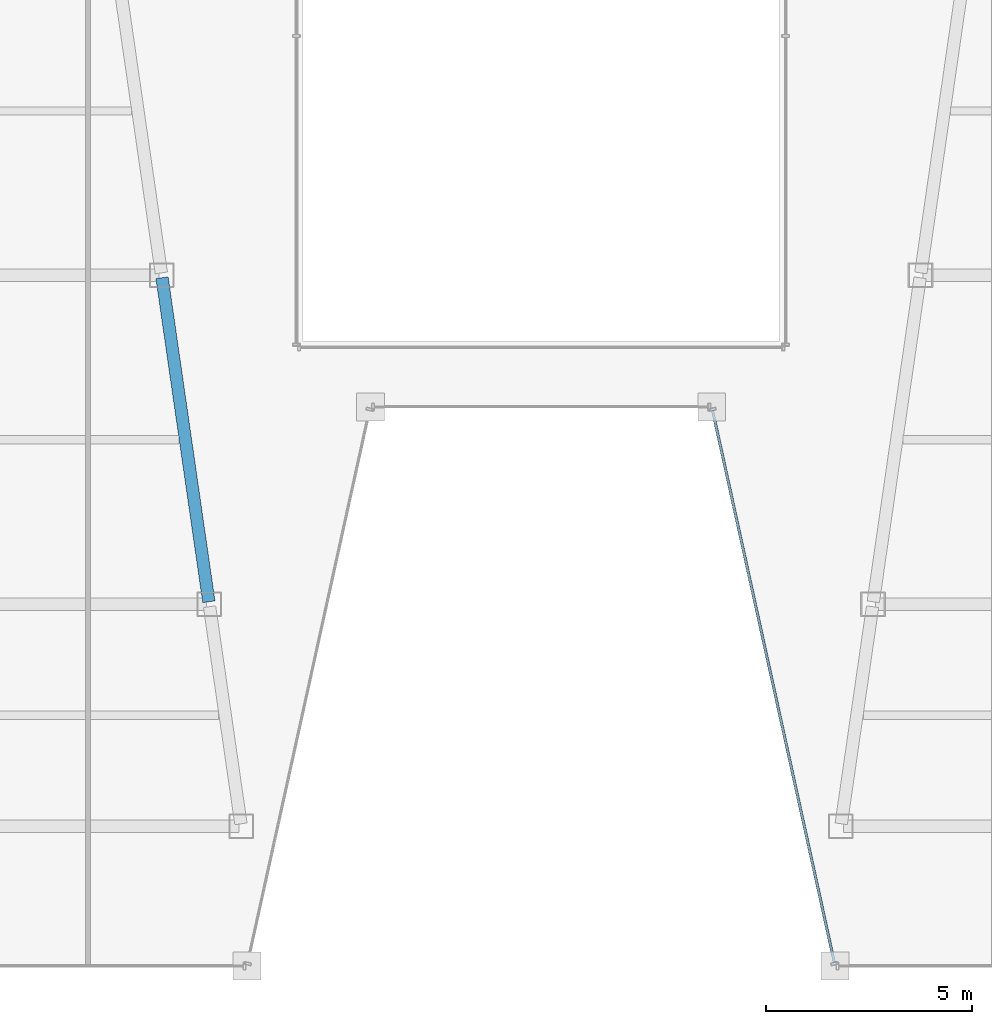
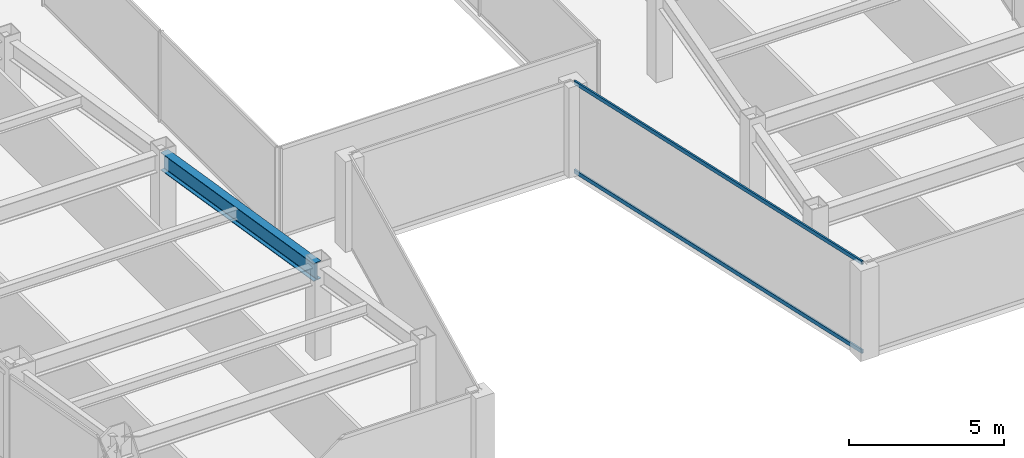
# One storey, part 6 of 38: 2 members, 1 beam, 1 element without a shape of its own.
"""IFC4 building model written with IfcOpenShell, lengths in metres."""

from ifc_helpers import new_model, si_unit, direction, frame, origin, origin_2d, place, context, subcontext, project, spatial, hollow_rectangle, i_section, extrude, material, material_profile, profile_set, type_object, element, aggregate, save


model = new_model("IFC4")

# Units and contexts
model_context = context("Model", 3, precision=1e-05, world=origin(), true_north=direction((0.0, 1.0)))
body_context = subcontext(model_context, "Body", "Model", "MODEL_VIEW")
ifc_project = project(units=[si_unit("LENGTHUNIT", "METRE"), si_unit("AREAUNIT", "SQUARE_METRE"), si_unit("VOLUMEUNIT", "CUBIC_METRE"), si_unit("PLANEANGLEUNIT", "RADIAN"), si_unit("MASSUNIT", "GRAM", prefix="KILO")], contexts=[model_context])

# Site, building, storey
site_placement = place(None, origin())
site = spatial("IfcSite", under=ifc_project, at=site_placement, CompositionType="ELEMENT")
building_placement = place(site_placement, origin())
building = spatial("IfcBuilding", under=site, at=building_placement, Name="Saevonmaru Cultural Tower", CompositionType="ELEMENT")
storey_placement = place(building_placement, frame((0.0, 0.0, 137.199951171875)))
storey = spatial("IfcBuildingStorey", under=building, at=storey_placement, Name="L29", CompositionType="ELEMENT", Elevation=137.199951171875)

# Beam
ifc_material_1 = material(Name="Steel SM355", Category="steel")
ifc_material_profile_1 = material_profile(ifc_material_1, i_section(OverallWidth=0.300048828125, OverallDepth=0.699951171875, WebThickness=0.012939453125, FlangeThickness=0.02392578125, FilletRadius=0.02587890625, at=origin_2d()), Name="H-700x300x13x24")
ifc_profile_set_1 = profile_set([ifc_material_profile_1], Name="Steel SM355")
beam_type = type_object("IfcBeamType", Name="BM-G-H700", PredefinedType="BEAM", material=ifc_profile_set_1)
beam_placement = place(storey_placement, frame((21.91943359375, 16.059326171875, 3.199951171875), z_axis=(-0.143022161059, 0.989719486241, 0.0), x_axis=(-0.989719486241, -0.143022161059, 0.0)))
element("IfcBeam", 1, at=beam_placement, inside=storey, type_object=beam_type, Name="L29 West Atrium Girder 2", PredefinedType="BEAM", context=body_context, shape_type="SweptSolid", body=[
    extrude(i_section(OverallWidth=0.300048828125, OverallDepth=0.699951171875, WebThickness=0.012939453125, FlangeThickness=0.02392578125, FilletRadius=0.02587890625, at=origin_2d()), origin(), (0.0, 0.0, 1.0), 7.963134765625),
])

# Curtain wall, members
ifc_material_2 = material(Name="Satin Bronze Anodised Aluminium", Category="aluminium")
curtain_wall_type = type_object("IfcCurtainWallType", Name="CW-TYP-A", PredefinedType="NOTDEFINED", material=ifc_material_2)
curtain_wall_placement = place(storey_placement, origin())
curtain_wall = element("IfcCurtainWall", 2, at=curtain_wall_placement, inside=storey, type_object=curtain_wall_type, Name="L29 Unitised Curtain Wall E5", PredefinedType="NOTDEFINED")
ifc_material_profile_2 = material_profile(ifc_material_2, hollow_rectangle(XDim=0.06494140625, YDim=0.14990234375, WallThickness=0.00390625, at=origin_2d()), Name="ALU-TRAN-150x65x4")
ifc_profile_set_2 = profile_set([ifc_material_profile_2], Name="Satin Bronze Anodised Aluminium")
member_type = type_object("IfcMemberType", Name="TR-CW-150x65", PredefinedType="USERDEFINED", material=ifc_profile_set_2)
member_1_placement = place(storey_placement, frame((34.1708984375, 20.709716796875, 0.032470703125), z_axis=(0.21541214732, -0.976523223885, 0.0), x_axis=(0.976523223885, 0.21541214732, 0.0)))
member_1 = element("IfcMember", 3, at=member_1_placement, type_object=member_type, Name="CW-TW-L29-E5 transom 1.1", ObjectType="TRANSOM", PredefinedType="USERDEFINED", context=body_context, shape_type="SweptSolid", body=[
    extrude(hollow_rectangle(XDim=0.06494140625, YDim=0.14990234375, WallThickness=0.00390625, at=origin_2d()), origin(), (0.0, 0.0, 1.0), 13.741943359375),
])
member_2_placement = place(storey_placement, frame((34.1708984375, 20.709716796875, 3.517578125), z_axis=(0.21541214732, -0.976523223885, 0.0), x_axis=(0.976523223885, 0.21541214732, 0.0)))
member_2 = element("IfcMember", 4, at=member_2_placement, type_object=member_type, Name="CW-TW-L29-E5 transom 1.2", ObjectType="TRANSOM", PredefinedType="USERDEFINED", context=body_context, shape_type="SweptSolid", body=[
    extrude(hollow_rectangle(XDim=0.06494140625, YDim=0.14990234375, WallThickness=0.00390625, at=origin_2d()), origin(), (0.0, 0.0, 1.0), 13.741943359375),
])
aggregate(curtain_wall, [member_1, member_2])

save(model, "model.ifc")
